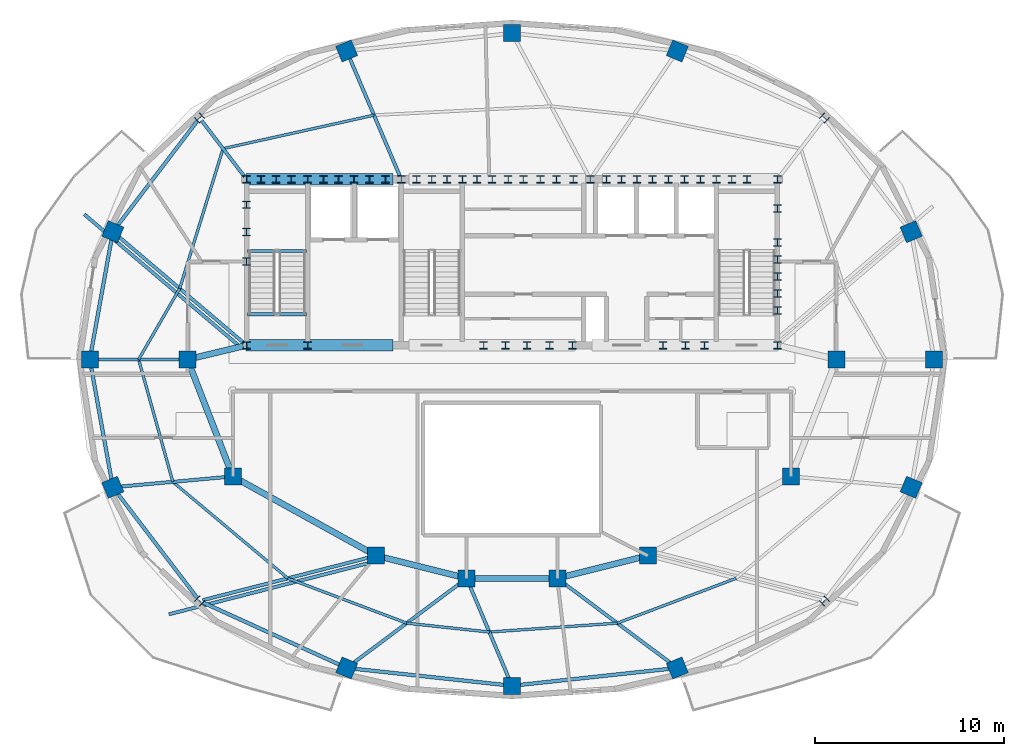
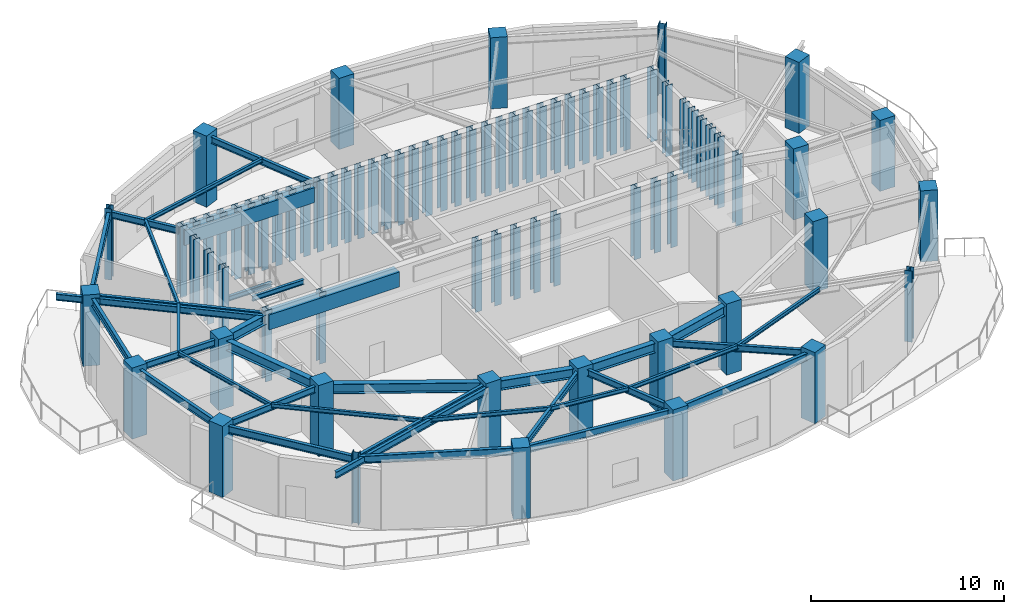
# One storey, part 1 of 9: 78 columns, 37 beams.
"""IFC4 building model written with IfcOpenShell, lengths in metres."""

from ifc_helpers import new_model, si_unit, direction, frame, origin, origin_2d, place, context, subcontext, project, spatial, rectangle, i_section, extrude, material, material_profile, profile_set, type_object, element, save


model = new_model("IFC4")

# Units and contexts
model_context = context("Model", 3, precision=1e-05, world=origin(), true_north=direction((0.0, 1.0)))
body_context = subcontext(model_context, "Body", "Model", "MODEL_VIEW")
ifc_project = project(units=[si_unit("LENGTHUNIT", "METRE"), si_unit("AREAUNIT", "SQUARE_METRE"), si_unit("VOLUMEUNIT", "CUBIC_METRE"), si_unit("PLANEANGLEUNIT", "RADIAN"), si_unit("MASSUNIT", "GRAM", prefix="KILO")], contexts=[model_context])

# Site, building, storey
site_placement = place(None, origin())
site = spatial("IfcSite", under=ifc_project, at=site_placement, CompositionType="ELEMENT")
building_placement = place(site_placement, origin())
building = spatial("IfcBuilding", under=site, at=building_placement, Name="Haldorwick Loom Tower", CompositionType="ELEMENT")
storey_placement = place(building_placement, frame((0.0, 0.0, 277.5)))
storey = spatial("IfcBuildingStorey", under=building, at=storey_placement, Name="L75", CompositionType="ELEMENT", Elevation=277.5)

# Columns
ifc_material_1 = material(Name="Concrete C50 (50 MPa)", Category="concrete")
ifc_material_profile_1 = material_profile(ifc_material_1, rectangle(XDim=0.89990234375, YDim=0.89990234375, at=origin_2d()), Name="RC900X900", Category="concrete")
ifc_profile_set_1 = profile_set([ifc_material_profile_1], Name="Concrete C50 (50 MPa)")
column_type_1 = type_object("IfcColumnType", Name="STR-COL-RC900", PredefinedType="COLUMN", material=ifc_profile_set_1)
for number, where, z_axis, x_axis, name in (
    (1, (53.199951171875, 26.0, 0.0), (0.0, 0.0, 1.0), (1.0, 0.0, 0.0), "L75 Inner Column IC-01"),
    (2, (50.800048828125, 19.800048828125, 0.0), (0.0, 0.0, 1.0), (1.0, 0.0, 0.0), "L75 Inner Column IC-02"),
    (3, (43.199951171875, 15.60009765625, 0.0), (0.0, 0.0, 1.0), (1.0, 0.0, 0.0), "L75 Inner Column IC-03"),
    (4, (38.39990234375, 14.39990234375, 0.0), (0.0, 0.0, 1.0), (1.0, 0.0, 0.0), "L75 Inner Column IC-04"),
    (5, (33.60009765625, 14.39990234375, 0.0), (0.0, 0.0, 1.0), (1.0, 0.0, 0.0), "L75 Inner Column IC-05"),
    (6, (28.800048828125, 15.60009765625, 0.0), (0.0, 0.0, 1.0), (1.0, 0.0, 0.0), "L75 Inner Column IC-06"),
    (7, (21.199951171875, 19.800048828125, 0.0), (0.0, 0.0, 1.0), (1.0, 0.0, 0.0), "L75 Inner Column IC-07"),
    (8, (18.800048828125, 26.0, 0.0), (0.0, 0.0, 1.0), (1.0, 0.0, 0.0), "L75 Inner Column IC-08"),
    (9, (58.380859375, 26.0, 0.0), (0.0, 0.0, 1.0), (1.0, 0.0, 0.0), "L75 Perimeter Pier Column P01"),
    (10, (57.15673828125, 32.7734375, 0.0), (0.0, 0.0, 1.0), (0.923879532511, 0.382683432365, 0.0), "L75 Perimeter Pier Column P02"),
    (11, (44.763427734375, 42.352783203125, 0.0), (0.0, 0.0, 1.0), (0.382683432365, 0.923879532511, 0.0), "L75 Perimeter Pier Column P04"),
    (12, (36.0, 43.295166015625, 0.0), (0.0, 0.0, 1.0), (0.0, 1.0, 0.0), "L75 Perimeter Pier Column P05"),
    (13, (27.236572265625, 42.352783203125, 0.0), (0.0, 0.0, 1.0), (-0.382683432365, 0.923879532511, 0.0), "L75 Perimeter Pier Column P06"),
    (14, (14.84326171875, 32.7734375, 0.0), (0.0, 0.0, 1.0), (-0.923879532511, 0.382683432365, 0.0), "L75 Perimeter Pier Column P08"),
    (15, (13.619140625, 26.0, 0.0), (0.0, 0.0, 1.0), (-1.0, 0.0, 0.0), "L75 Perimeter Pier Column P09"),
    (16, (14.84326171875, 19.2265625, 0.0), (0.0, 0.0, 1.0), (-0.923879532511, -0.382683432365, 0.0), "L75 Perimeter Pier Column P10"),
    (17, (27.236572265625, 9.647216796875, 0.0), (0.0, 0.0, 1.0), (-0.382683432365, -0.923879532511, 0.0), "L75 Perimeter Pier Column P12"),
    (18, (36.0, 8.704833984375, 0.0), (0.0, 0.0, 1.0), (0.0, -1.0, 0.0), "L75 Perimeter Pier Column P13"),
    (19, (44.763427734375, 9.647216796875, 0.0), (0.0, 0.0, 1.0), (0.382683432365, -0.923879532511, 0.0), "L75 Perimeter Pier Column P14"),
    (20, (57.15673828125, 19.2265625, 0.0), (0.0, 0.0, 1.0), (0.923879532511, -0.382683432365, 0.0), "L75 Perimeter Pier Column P16"),
):
    element("IfcColumn", number, at=place(storey_placement, frame(where, z_axis=z_axis, x_axis=x_axis)), inside=storey, type_object=column_type_1, Name=name, PredefinedType="COLUMN", context=body_context, shape_type="SweptSolid", body=[
        extrude(rectangle(XDim=0.89990234375, YDim=0.89990234375, at=origin_2d()), origin(), (0.0, 0.0, 1.0), 4.5),
    ])
ifc_material_2 = material(Name="Steel CSA G40.21 350W", Category="steel")
ifc_material_profile_2 = material_profile(ifc_material_2, i_section(OverallWidth=0.39892578125, OverallDepth=0.39306640625, WebThickness=0.0185546875, FlangeThickness=0.029541015625, at=origin_2d()), Name="W360X287", Category="steel")
ifc_profile_set_2 = profile_set([ifc_material_profile_2], Name="Steel CSA G40.21 350W")
column_type_2 = type_object("IfcColumnType", Name="STR-COL-W360X287", PredefinedType="COLUMN", material=ifc_profile_set_2)
for number, where, z_axis, x_axis, name in (
    (21, (21.929931640625, 35.550048828125, 0.0), (0.0, 0.0, 1.0), (1.0, 0.0, 0.0), "L75 Core Pilaster CB-01"),
    (22, (23.5, 35.550048828125, 0.0), (0.0, 0.0, 1.0), (1.0, 0.0, 0.0), "L75 Core Pilaster CB-02"),
    (23, (25.169921875, 35.550048828125, 0.0), (0.0, 0.0, 1.0), (1.0, 0.0, 0.0), "L75 Core Pilaster CB-03"),
    (24, (26.800048828125, 35.550048828125, 0.0), (0.0, 0.0, 1.0), (1.0, 0.0, 0.0), "L75 Core Pilaster CB-04"),
    (25, (28.449951171875, 35.550048828125, 0.0), (0.0, 0.0, 1.0), (1.0, 0.0, 0.0), "L75 Core Pilaster CB-05"),
    (26, (30.1298828125, 35.550048828125, 0.0), (0.0, 0.0, 1.0), (1.0, 0.0, 0.0), "L75 Core Pilaster CB-06"),
    (27, (31.75, 35.550048828125, 0.0), (0.0, 0.0, 1.0), (1.0, 0.0, 0.0), "L75 Core Pilaster CB-07"),
    (28, (33.3701171875, 35.550048828125, 0.0), (0.0, 0.0, 1.0), (1.0, 0.0, 0.0), "L75 Core Pilaster CB-08"),
    (29, (34.949951171875, 35.550048828125, 0.0), (0.0, 0.0, 1.0), (1.0, 0.0, 0.0), "L75 Core Pilaster CB-09"),
    (30, (36.60009765625, 35.550048828125, 0.0), (0.0, 0.0, 1.0), (1.0, 0.0, 0.0), "L75 Core Pilaster CB-10"),
    (31, (38.35009765625, 35.550048828125, 0.0), (0.0, 0.0, 1.0), (1.0, 0.0, 0.0), "L75 Core Pilaster CB-11"),
    (32, (40.14990234375, 35.550048828125, 0.0), (0.0, 0.0, 1.0), (1.0, 0.0, 0.0), "L75 Core Pilaster CB-12"),
    (33, (41.800048828125, 35.550048828125, 0.0), (0.0, 0.0, 1.0), (1.0, 0.0, 0.0), "L75 Core Pilaster CB-13"),
    (34, (43.449951171875, 35.550048828125, 0.0), (0.0, 0.0, 1.0), (1.0, 0.0, 0.0), "L75 Core Pilaster CB-14"),
    (35, (45.14990234375, 35.550048828125, 0.0), (0.0, 0.0, 1.0), (1.0, 0.0, 0.0), "L75 Core Pilaster CB-15"),
    (36, (46.830078125, 35.550048828125, 0.0), (0.0, 0.0, 1.0), (1.0, 0.0, 0.0), "L75 Core Pilaster CB-16"),
    (37, (48.449951171875, 35.550048828125, 0.0), (0.0, 0.0, 1.0), (1.0, 0.0, 0.0), "L75 Core Pilaster CB-17"),
    (38, (50.070068359375, 35.550048828125, 0.0), (0.0, 0.0, 1.0), (1.0, 0.0, 0.0), "L75 Core Pilaster CB-18"),
    (39, (21.929931640625, 26.75, 0.0), (0.0, 0.0, 1.0), (1.0, 0.0, 0.0), "L75 Core Pilaster CB-19"),
    (40, (25.169921875, 26.75, 0.0), (0.0, 0.0, 1.0), (1.0, 0.0, 0.0), "L75 Core Pilaster CB-20"),
    (41, (34.5, 26.75, 0.0), (0.0, 0.0, 1.0), (1.0, 0.0, 0.0), "L75 Core Pilaster CB-21"),
    (42, (36.800048828125, 26.75, 0.0), (0.0, 0.0, 1.0), (1.0, 0.0, 0.0), "L75 Core Pilaster CB-22"),
    (43, (39.199951171875, 26.75, 0.0), (0.0, 0.0, 1.0), (1.0, 0.0, 0.0), "L75 Core Pilaster CB-23"),
    (44, (45.199951171875, 26.75, 0.0), (0.0, 0.0, 1.0), (1.0, 0.0, 0.0), "L75 Core Pilaster CB-24"),
    (45, (50.070068359375, 26.75, 0.0), (0.0, 0.0, 1.0), (1.0, 0.0, 0.0), "L75 Core Pilaster CB-25"),
    (46, (21.929931640625, 31.199951171875, 0.0), (0.0, 0.0, 1.0), (1.0, 0.0, 0.0), "L75 Core Pilaster CB-26"),
    (47, (21.929931640625, 32.75, 0.0), (0.0, 0.0, 1.0), (1.0, 0.0, 0.0), "L75 Core Pilaster CB-27"),
    (48, (21.929931640625, 34.199951171875, 0.0), (0.0, 0.0, 1.0), (1.0, 0.0, 0.0), "L75 Core Pilaster CB-28"),
    (49, (50.070068359375, 28.60009765625, 0.0), (0.0, 0.0, 1.0), (1.0, 0.0, 0.0), "L75 Core Pilaster CB-29"),
    (50, (50.070068359375, 30.39990234375, 0.0), (0.0, 0.0, 1.0), (1.0, 0.0, 0.0), "L75 Core Pilaster CB-30"),
    (51, (50.070068359375, 32.199951171875, 0.0), (0.0, 0.0, 1.0), (1.0, 0.0, 0.0), "L75 Core Pilaster CB-31"),
    (52, (50.070068359375, 34.0, 0.0), (0.0, 0.0, 1.0), (1.0, 0.0, 0.0), "L75 Core Pilaster CB-32"),
    (53, (22.699951171875, 35.550048828125, 0.0), (0.0, 0.0, 1.0), (1.0, 0.0, 0.0), "L75 Core Pilaster CB-33"),
    (54, (27.6201171875, 35.550048828125, 0.0), (0.0, 0.0, 1.0), (1.0, 0.0, 0.0), "L75 Core Pilaster CB-34"),
    (55, (32.550048828125, 35.550048828125, 0.0), (0.0, 0.0, 1.0), (1.0, 0.0, 0.0), "L75 Core Pilaster CB-35"),
    (56, (37.5, 35.550048828125, 0.0), (0.0, 0.0, 1.0), (1.0, 0.0, 0.0), "L75 Core Pilaster CB-36"),
    (57, (42.6201171875, 35.550048828125, 0.0), (0.0, 0.0, 1.0), (1.0, 0.0, 0.0), "L75 Core Pilaster CB-37"),
    (58, (47.64990234375, 35.550048828125, 0.0), (0.0, 0.0, 1.0), (1.0, 0.0, 0.0), "L75 Core Pilaster CB-38"),
    (59, (24.300048828125, 35.550048828125, 0.0), (0.0, 0.0, 1.0), (1.0, 0.0, 0.0), "L75 Core Pilaster CB-39"),
    (60, (26.0, 35.550048828125, 0.0), (0.0, 0.0, 1.0), (1.0, 0.0, 0.0), "L75 Core Pilaster CB-40"),
    (61, (29.300048828125, 35.550048828125, 0.0), (0.0, 0.0, 1.0), (1.0, 0.0, 0.0), "L75 Core Pilaster CB-41"),
    (62, (30.949951171875, 35.550048828125, 0.0), (0.0, 0.0, 1.0), (1.0, 0.0, 0.0), "L75 Core Pilaster CB-42"),
    (63, (34.14990234375, 35.550048828125, 0.0), (0.0, 0.0, 1.0), (1.0, 0.0, 0.0), "L75 Core Pilaster CB-43"),
    (64, (35.800048828125, 35.550048828125, 0.0), (0.0, 0.0, 1.0), (1.0, 0.0, 0.0), "L75 Core Pilaster CB-44"),
    (65, (39.25, 35.550048828125, 0.0), (0.0, 0.0, 1.0), (1.0, 0.0, 0.0), "L75 Core Pilaster CB-45"),
    (66, (41.0, 35.550048828125, 0.0), (0.0, 0.0, 1.0), (1.0, 0.0, 0.0), "L75 Core Pilaster CB-46"),
    (67, (44.300048828125, 35.550048828125, 0.0), (0.0, 0.0, 1.0), (1.0, 0.0, 0.0), "L75 Core Pilaster CB-47"),
    (68, (46.0, 35.550048828125, 0.0), (0.0, 0.0, 1.0), (1.0, 0.0, 0.0), "L75 Core Pilaster CB-48"),
    (69, (50.070068359375, 29.5, 0.0), (0.0, 0.0, 1.0), (1.0, 0.0, 0.0), "L75 Core Pilaster CB-49"),
    (70, (50.070068359375, 31.300048828125, 0.0), (0.0, 0.0, 1.0), (1.0, 0.0, 0.0), "L75 Core Pilaster CB-50"),
    (71, (35.64990234375, 26.75, 0.0), (0.0, 0.0, 1.0), (1.0, 0.0, 0.0), "L75 Core Pilaster CB-51"),
    (72, (38.0, 26.75, 0.0), (0.0, 0.0, 1.0), (1.0, 0.0, 0.0), "L75 Core Pilaster CB-52"),
    (73, (44.0, 26.75, 0.0), (0.0, 0.0, 1.0), (1.0, 0.0, 0.0), "L75 Core Pilaster CB-53"),
    (74, (46.199951171875, 26.75, 0.0), (0.0, 0.0, 1.0), (1.0, 0.0, 0.0), "L75 Core Pilaster CB-54"),
    (75, (52.559814453125, 38.802001953125, 0.0), (0.0, 0.0, 1.0), (0.707106781187, 0.707106781187, 0.0), "L75 Perimeter Pier Column P03"),
    (76, (19.440185546875, 38.802001953125, 0.0), (0.0, 0.0, 1.0), (-0.707106781187, 0.707106781187, 0.0), "L75 Perimeter Pier Column P07"),
    (77, (19.440185546875, 13.197998046875, 0.0), (0.0, 0.0, 1.0), (-0.707106781187, -0.707106781187, 0.0), "L75 Perimeter Pier Column P11"),
    (78, (52.559814453125, 13.197998046875, 0.0), (0.0, 0.0, 1.0), (0.707106781187, -0.707106781187, 0.0), "L75 Perimeter Pier Column P15"),
):
    element("IfcColumn", number, at=place(storey_placement, frame(where, z_axis=z_axis, x_axis=x_axis)), inside=storey, type_object=column_type_2, Name=name, PredefinedType="COLUMN", context=body_context, shape_type="SweptSolid", body=[
        extrude(i_section(OverallWidth=0.39892578125, OverallDepth=0.39306640625, WebThickness=0.0185546875, FlangeThickness=0.029541015625, at=origin_2d()), origin(), (0.0, 0.0, 1.0), 4.5),
    ])

# Beams
ifc_material_profile_3 = material_profile(ifc_material_2, i_section(OverallWidth=0.179931640625, OverallDepth=0.4130859375, WebThickness=0.009765625, FlangeThickness=0.01611328125, at=origin_2d()), Name="W410X74", Category="steel")
ifc_profile_set_3 = profile_set([ifc_material_profile_3], Name="Steel CSA G40.21 350W")
beam_type_1 = type_object("IfcBeamType", Name="STR-BM-BAL410", PredefinedType="BEAM", material=ifc_profile_set_3)
beam_1_placement = place(storey_placement, frame((28.4580078125, 15.22314453125, 4.053466796875), z_axis=(-0.968611485287, -0.24857954576, 0.0), x_axis=(0.24857954576, -0.968611485287, 0.0)))
element("IfcBeam", 79, at=beam_1_placement, inside=storey, type_object=beam_type_1, Name="L75 Continuous Back-Spanned Balcony Beam 2", PredefinedType="BEAM", context=body_context, shape_type="SweptSolid", body=[
    extrude(i_section(OverallWidth=0.179931640625, OverallDepth=0.4130859375, WebThickness=0.009765625, FlangeThickness=0.01611328125, at=origin_2d()), origin(), (0.0, 0.0, 1.0), 10.98828125),
])
beam_2_placement = place(storey_placement, frame((21.617919921875, 26.647705078125, 4.053466796875), z_axis=(-0.761939871456, 0.647647768687, 0.0), x_axis=(-0.647647768687, -0.761939871456, 0.0)))
element("IfcBeam", 80, at=beam_2_placement, inside=storey, type_object=beam_type_1, Name="L75 Continuous Back-Spanned Balcony Beam 3", PredefinedType="BEAM", context=body_context, shape_type="SweptSolid", body=[
    extrude(i_section(OverallWidth=0.179931640625, OverallDepth=0.4130859375, WebThickness=0.009765625, FlangeThickness=0.01611328125, at=origin_2d()), origin(), (0.0, 0.0, 1.0), 10.879150390625),
])
ifc_material_profile_4 = material_profile(ifc_material_1, rectangle(XDim=0.60009765625, YDim=0.949951171875, at=origin_2d()), Name="RC600X950", Category="concrete")
ifc_profile_set_4 = profile_set([ifc_material_profile_4], Name="Concrete C50 (50 MPa)")
beam_type_2 = type_object("IfcBeamType", Name="STR-BM-CB950", PredefinedType="LINTEL", material=ifc_profile_set_4)
for number, where, z_axis, x_axis, name in (
    (81, (21.89990234375, 35.550048828125, 3.784912109375), (1.0, 0.0, 0.0), (0.0, 1.0, 0.0), "L75 Core Coupling Beam CB-N1"),
    (82, (21.89990234375, 26.75, 3.784912109375), (1.0, 0.0, 0.0), (0.0, 1.0, 0.0), "L75 Core Coupling Beam CB-S1"),
):
    element("IfcBeam", number, at=place(storey_placement, frame(where, z_axis=z_axis, x_axis=x_axis)), inside=storey, type_object=beam_type_2, Name=name, PredefinedType="LINTEL", context=body_context, shape_type="SweptSolid", body=[
        extrude(rectangle(XDim=0.60009765625, YDim=0.949951171875, at=origin_2d()), origin(), (0.0, 0.0, 1.0), 7.800048828125),
    ])
ifc_material_profile_5 = material_profile(ifc_material_2, i_section(OverallWidth=0.14599609375, OverallDepth=0.258056640625, WebThickness=0.006103515625, FlangeThickness=0.009033203125, at=origin_2d()), Name="W250X33", Category="steel")
ifc_profile_set_5 = profile_set([ifc_material_profile_5], Name="Steel CSA G40.21 350W")
beam_type_3 = type_object("IfcBeamType", Name="STR-BM-J250", PredefinedType="JOIST", material=ifc_profile_set_5)
beam_3_placement = place(storey_placement, frame((28.683349609375, 38.951416015625, 4.131103515625), z_axis=(-0.976238917254, -0.216696969148, 0.0), x_axis=(0.216696969148, -0.976238917254, 0.0)))
element("IfcBeam", 83, at=beam_3_placement, inside=storey, type_object=beam_type_3, Name="L75 Mid-Bay Secondary Joist 6", PredefinedType="JOIST", context=body_context, shape_type="SweptSolid", body=[
    extrude(i_section(OverallWidth=0.14599609375, OverallDepth=0.258056640625, WebThickness=0.006103515625, FlangeThickness=0.009033203125, at=origin_2d()), origin(), (0.0, 0.0, 1.0), 8.19287109375),
])
beam_4_placement = place(storey_placement, frame((20.68505859375, 37.176025390625, 4.131103515625), z_axis=(-0.296087580312, -0.955160795251, 0.0), x_axis=(0.955160795251, -0.296087580312, 0.0)))
element("IfcBeam", 84, at=beam_4_placement, inside=storey, type_object=beam_type_3, Name="L75 Mid-Bay Secondary Joist 7", PredefinedType="JOIST", context=body_context, shape_type="SweptSolid", body=[
    extrude(i_section(OverallWidth=0.14599609375, OverallDepth=0.258056640625, WebThickness=0.006103515625, FlangeThickness=0.009033203125, at=origin_2d()), origin(), (0.0, 0.0, 1.0), 7.762451171875),
])
beam_5_placement = place(storey_placement, frame((18.38671875, 29.76171875, 4.131103515625), z_axis=(-0.50089233553, -0.865509600297, 0.0), x_axis=(0.865509600297, -0.50089233553, 0.0)))
element("IfcBeam", 85, at=beam_5_placement, inside=storey, type_object=beam_type_3, Name="L75 Mid-Bay Secondary Joist 8", PredefinedType="JOIST", context=body_context, shape_type="SweptSolid", body=[
    extrude(i_section(OverallWidth=0.14599609375, OverallDepth=0.258056640625, WebThickness=0.006103515625, FlangeThickness=0.009033203125, at=origin_2d()), origin(), (0.0, 0.0, 1.0), 4.34619140625),
])
beam_6_placement = place(storey_placement, frame((16.209716796875, 26.0, 4.131103515625), z_axis=(0.269004652199, -0.963138877367, 0.0), x_axis=(0.963138877367, 0.269004652199, 0.0)))
element("IfcBeam", 86, at=beam_6_placement, inside=storey, type_object=beam_type_3, Name="L75 Mid-Bay Secondary Joist 9", PredefinedType="JOIST", context=body_context, shape_type="SweptSolid", body=[
    extrude(i_section(OverallWidth=0.14599609375, OverallDepth=0.258056640625, WebThickness=0.006103515625, FlangeThickness=0.009033203125, at=origin_2d()), origin(), (0.0, 0.0, 1.0), 6.735107421875),
])
beam_7_placement = place(storey_placement, frame((18.021484375, 19.51318359375, 4.131103515625), z_axis=(0.766236362394, -0.642558819833, 0.0), x_axis=(0.642558819833, 0.766236362394, 0.0)))
element("IfcBeam", 87, at=beam_7_placement, inside=storey, type_object=beam_type_3, Name="L75 Mid-Bay Secondary Joist 10", PredefinedType="JOIST", context=body_context, shape_type="SweptSolid", body=[
    extrude(i_section(OverallWidth=0.14599609375, OverallDepth=0.258056640625, WebThickness=0.006103515625, FlangeThickness=0.009033203125, at=origin_2d()), origin(), (0.0, 0.0, 1.0), 7.959228515625),
])
beam_8_placement = place(storey_placement, frame((24.1201171875, 14.39892578125, 4.131103515625), z_axis=(0.93567019597, -0.352875735031, 0.0), x_axis=(0.352875735031, 0.93567019597, 0.0)))
element("IfcBeam", 88, at=beam_8_placement, inside=storey, type_object=beam_type_3, Name="L75 Mid-Bay Secondary Joist 11", PredefinedType="JOIST", context=body_context, shape_type="SweptSolid", body=[
    extrude(i_section(OverallWidth=0.14599609375, OverallDepth=0.258056640625, WebThickness=0.006103515625, FlangeThickness=0.009033203125, at=origin_2d()), origin(), (0.0, 0.0, 1.0), 6.731201171875),
])
beam_9_placement = place(storey_placement, frame((30.418212890625, 12.023681640625, 4.131103515625), z_axis=(0.994268003688, -0.106916494714, 0.0), x_axis=(0.106916494714, 0.994268003688, 0.0)))
element("IfcBeam", 89, at=beam_9_placement, inside=storey, type_object=beam_type_3, Name="L75 Mid-Bay Secondary Joist 12", PredefinedType="JOIST", context=body_context, shape_type="SweptSolid", body=[
    extrude(i_section(OverallWidth=0.14599609375, OverallDepth=0.258056640625, WebThickness=0.006103515625, FlangeThickness=0.009033203125, at=origin_2d()), origin(), (0.0, 0.0, 1.0), 4.406982421875),
])
beam_10_placement = place(storey_placement, frame((34.800048828125, 11.552490234375, 4.131103515625), z_axis=(0.997595007309, 0.069312346609, 0.0), x_axis=(-0.069312346609, 0.997595007309, 0.0)))
element("IfcBeam", 90, at=beam_10_placement, inside=storey, type_object=beam_type_3, Name="L75 Mid-Bay Secondary Joist 13", PredefinedType="JOIST", context=body_context, shape_type="SweptSolid", body=[
    extrude(i_section(OverallWidth=0.14599609375, OverallDepth=0.258056640625, WebThickness=0.006103515625, FlangeThickness=0.009033203125, at=origin_2d()), origin(), (0.0, 0.0, 1.0), 6.798095703125),
])
beam_11_placement = place(storey_placement, frame((41.581787109375, 12.023681640625, 4.131103515625), z_axis=(0.93567019597, 0.352875735031, 0.0), x_axis=(-0.352875735031, 0.93567019597, 0.0)))
element("IfcBeam", 91, at=beam_11_placement, inside=storey, type_object=beam_type_3, Name="L75 Mid-Bay Secondary Joist 14", PredefinedType="JOIST", context=body_context, shape_type="SweptSolid", body=[
    extrude(i_section(OverallWidth=0.14599609375, OverallDepth=0.258056640625, WebThickness=0.006103515625, FlangeThickness=0.009033203125, at=origin_2d()), origin(), (0.0, 0.0, 1.0), 6.731201171875),
])
ifc_material_profile_6 = material_profile(ifc_material_2, i_section(OverallWidth=0.179931640625, OverallDepth=0.4130859375, WebThickness=0.009765625, FlangeThickness=0.01611328125, at=origin_2d()), Name="W410X74", Category="steel")
ifc_profile_set_6 = profile_set([ifc_material_profile_6], Name="Steel CSA G40.21 350W")
beam_type_4 = type_object("IfcBeamType", Name="STR-BM-J410", PredefinedType="JOIST", material=ifc_profile_set_6)
beam_12_placement = place(storey_placement, frame((30.06298828125, 35.707763671875, 4.053466796875), z_axis=(-0.391420554147, 0.92021190483, 0.0), x_axis=(-0.92021190483, -0.391420554147, 0.0)))
element("IfcBeam", 92, at=beam_12_placement, inside=storey, type_object=beam_type_4, Name="L75 Radial Floor Girder 6", PredefinedType="JOIST", context=body_context, shape_type="SweptSolid", body=[
    extrude(i_section(OverallWidth=0.179931640625, OverallDepth=0.4130859375, WebThickness=0.009765625, FlangeThickness=0.01611328125, at=origin_2d()), origin(), (0.0, 0.0, 1.0), 6.796142578125),
])
beam_13_placement = place(storey_placement, frame((21.82568359375, 35.686279296875, 4.053466796875), z_axis=(-0.607923320425, 0.793995740847, 0.0), x_axis=(-0.793995740847, -0.607923320425, 0.0)))
element("IfcBeam", 93, at=beam_13_placement, inside=storey, type_object=beam_type_4, Name="L75 Radial Floor Girder 7", PredefinedType="JOIST", context=body_context, shape_type="SweptSolid", body=[
    extrude(i_section(OverallWidth=0.179931640625, OverallDepth=0.4130859375, WebThickness=0.009765625, FlangeThickness=0.01611328125, at=origin_2d()), origin(), (0.0, 0.0, 1.0), 3.75244140625),
])
beam_14_placement = place(storey_placement, frame((21.79931640625, 26.861083984375, 4.053466796875), z_axis=(-0.761954542494, 0.647630508216, 0.0), x_axis=(-0.647630508216, -0.761954542494, 0.0)))
element("IfcBeam", 94, at=beam_14_placement, inside=storey, type_object=beam_type_4, Name="L75 Radial Floor Girder 8", PredefinedType="JOIST", context=body_context, shape_type="SweptSolid", body=[
    extrude(i_section(OverallWidth=0.179931640625, OverallDepth=0.4130859375, WebThickness=0.009765625, FlangeThickness=0.01611328125, at=origin_2d()), origin(), (0.0, 0.0, 1.0), 8.704345703125),
])
beam_15_placement = place(storey_placement, frame((18.375, 26.0, 4.053466796875), z_axis=(-1.0, 0.0, 0.0), x_axis=(0.0, -1.0, 0.0)))
element("IfcBeam", 95, at=beam_15_placement, inside=storey, type_object=beam_type_4, Name="L75 Radial Floor Girder 9", PredefinedType="JOIST", context=body_context, shape_type="SweptSolid", body=[
    extrude(i_section(OverallWidth=0.179931640625, OverallDepth=0.4130859375, WebThickness=0.009765625, FlangeThickness=0.01611328125, at=origin_2d()), origin(), (0.0, 0.0, 1.0), 4.330810546875),
])
beam_16_placement = place(storey_placement, frame((20.776611328125, 19.76171875, 4.053466796875), z_axis=(-0.995955545461, -0.08984737873, 0.0), x_axis=(0.08984737873, -0.995955545461, 0.0)))
element("IfcBeam", 96, at=beam_16_placement, inside=storey, type_object=beam_type_4, Name="L75 Radial Floor Girder 10", PredefinedType="JOIST", context=body_context, shape_type="SweptSolid", body=[
    extrude(i_section(OverallWidth=0.179931640625, OverallDepth=0.4130859375, WebThickness=0.009765625, FlangeThickness=0.01611328125, at=origin_2d()), origin(), (0.0, 0.0, 1.0), 5.532470703125),
])
beam_17_placement = place(storey_placement, frame((28.38818359375, 15.494384765625, 4.053466796875), z_axis=(-0.968607693966, -0.248594318498, 0.0), x_axis=(0.248594318498, -0.968607693966, 0.0)))
element("IfcBeam", 97, at=beam_17_placement, inside=storey, type_object=beam_type_4, Name="L75 Radial Floor Girder 11", PredefinedType="JOIST", context=body_context, shape_type="SweptSolid", body=[
    extrude(i_section(OverallWidth=0.179931640625, OverallDepth=0.4130859375, WebThickness=0.009765625, FlangeThickness=0.01611328125, at=origin_2d()), origin(), (0.0, 0.0, 1.0), 9.066650390625),
])
beam_18_placement = place(storey_placement, frame((33.259521484375, 14.145751953125, 4.053466796875), z_axis=(-0.801204527525, -0.598390595742, 0.0), x_axis=(0.598390595742, -0.801204527525, 0.0)))
element("IfcBeam", 98, at=beam_18_placement, inside=storey, type_object=beam_type_4, Name="L75 Radial Floor Girder 12", PredefinedType="JOIST", context=body_context, shape_type="SweptSolid", body=[
    extrude(i_section(OverallWidth=0.179931640625, OverallDepth=0.4130859375, WebThickness=0.009765625, FlangeThickness=0.01611328125, at=origin_2d()), origin(), (0.0, 0.0, 1.0), 7.092529296875),
])
beam_19_placement = place(storey_placement, frame((33.764892578125, 14.00830078125, 4.053466796875), z_axis=(0.388362079437, -0.921506861209, 0.0), x_axis=(0.921506861209, 0.388362079437, 0.0)))
element("IfcBeam", 99, at=beam_19_placement, inside=storey, type_object=beam_type_4, Name="L75 Radial Floor Girder 13", PredefinedType="JOIST", context=body_context, shape_type="SweptSolid", body=[
    extrude(i_section(OverallWidth=0.179931640625, OverallDepth=0.4130859375, WebThickness=0.009765625, FlangeThickness=0.01611328125, at=origin_2d()), origin(), (0.0, 0.0, 1.0), 5.330322265625),
])
beam_20_placement = place(storey_placement, frame((38.740478515625, 14.145751953125, 4.053466796875), z_axis=(0.801204527525, -0.598390595742, 0.0), x_axis=(0.598390595742, 0.801204527525, 0.0)))
element("IfcBeam", 100, at=beam_20_placement, inside=storey, type_object=beam_type_4, Name="L75 Radial Floor Girder 14", PredefinedType="JOIST", context=body_context, shape_type="SweptSolid", body=[
    extrude(i_section(OverallWidth=0.179931640625, OverallDepth=0.4130859375, WebThickness=0.009765625, FlangeThickness=0.01611328125, at=origin_2d()), origin(), (0.0, 0.0, 1.0), 7.092529296875),
])
ifc_material_profile_7 = material_profile(ifc_material_2, i_section(OverallWidth=0.193115234375, OverallDepth=0.466064453125, WebThickness=0.011474609375, FlangeThickness=0.01904296875, at=origin_2d()), Name="W460X97", Category="steel")
ifc_profile_set_7 = profile_set([ifc_material_profile_7], Name="Steel CSA G40.21 350W")
beam_type_5 = type_object("IfcBeamType", Name="STR-BM-SP460", PredefinedType="SPANDREL", material=ifc_profile_set_7)
beam_21_placement = place(storey_placement, frame((19.336181640625, 38.66552734375, 4.027099609375), z_axis=(-0.606384376075, -0.795171672315, 0.0), x_axis=(0.795171672315, -0.606384376075, 0.0)))
element("IfcBeam", 101, at=beam_21_placement, inside=storey, type_object=beam_type_5, Name="L75 Perimeter Spandrel 7", PredefinedType="SPANDREL", context=body_context, shape_type="SweptSolid", body=[
    extrude(i_section(OverallWidth=0.193115234375, OverallDepth=0.466064453125, WebThickness=0.011474609375, FlangeThickness=0.01904296875, at=origin_2d()), origin(), (0.0, 0.0, 1.0), 6.984619140625),
])
for number, where, z_axis, x_axis, name in (
    (102, (14.767578125, 32.355224609375, 4.027099609375), (-0.177809893073, -0.984064856565, 0.0), (0.984064856565, -0.177809893073, 0.0), "L75 Perimeter Spandrel 8"),
    (103, (13.69482421875, 25.581787109375, 4.027099609375), (0.177809893073, -0.984064856565, 0.0), (0.984064856565, 0.177809893073, 0.0), "L75 Perimeter Spandrel 9"),
):
    element("IfcBeam", number, at=place(storey_placement, frame(where, z_axis=z_axis, x_axis=x_axis)), inside=storey, type_object=beam_type_5, Name=name, PredefinedType="SPANDREL", context=body_context, shape_type="SweptSolid", body=[
        extrude(i_section(OverallWidth=0.193115234375, OverallDepth=0.466064453125, WebThickness=0.011474609375, FlangeThickness=0.01904296875, at=origin_2d()), origin(), (0.0, 0.0, 1.0), 6.033203125),
    ])
beam_22_placement = place(storey_placement, frame((15.100830078125, 18.888427734375, 4.027099609375), z_axis=(0.606384376075, -0.795171672315, 0.0), x_axis=(0.795171672315, 0.606384376075, 0.0)))
element("IfcBeam", 104, at=beam_22_placement, inside=storey, type_object=beam_type_5, Name="L75 Perimeter Spandrel 10", PredefinedType="SPANDREL", context=body_context, shape_type="SweptSolid", body=[
    extrude(i_section(OverallWidth=0.193115234375, OverallDepth=0.466064453125, WebThickness=0.011474609375, FlangeThickness=0.01904296875, at=origin_2d()), origin(), (0.0, 0.0, 1.0), 6.984619140625),
])
beam_23_placement = place(storey_placement, frame((19.59619140625, 13.126953125, 4.027099609375), z_axis=(0.910060964072, -0.414474416185, 0.0), x_axis=(0.414474416185, 0.910060964072, 0.0)))
element("IfcBeam", 105, at=beam_23_placement, inside=storey, type_object=beam_type_5, Name="L75 Perimeter Spandrel 11", PredefinedType="SPANDREL", context=body_context, shape_type="SweptSolid", body=[
    extrude(i_section(OverallWidth=0.193115234375, OverallDepth=0.466064453125, WebThickness=0.011474609375, FlangeThickness=0.01904296875, at=origin_2d()), origin(), (0.0, 0.0, 1.0), 7.97021484375),
])
for number, where, z_axis, x_axis, name in (
    (106, (27.6591796875, 9.601806640625, 4.027099609375), (0.994266744602, -0.106928202916, 0.0), (0.106928202916, 0.994266744602, 0.0), "L75 Perimeter Spandrel 12"),
    (107, (36.422607421875, 8.750244140625, 4.027099609375), (0.994266744602, 0.106928202916, 0.0), (-0.106928202916, 0.994266744602, 0.0), "L75 Perimeter Spandrel 13"),
):
    element("IfcBeam", number, at=place(storey_placement, frame(where, z_axis=z_axis, x_axis=x_axis)), inside=storey, type_object=beam_type_5, Name=name, PredefinedType="SPANDREL", context=body_context, shape_type="SweptSolid", body=[
        extrude(i_section(OverallWidth=0.193115234375, OverallDepth=0.466064453125, WebThickness=0.011474609375, FlangeThickness=0.01904296875, at=origin_2d()), origin(), (0.0, 0.0, 1.0), 7.9638671875),
    ])
ifc_material_profile_8 = material_profile(ifc_material_2, i_section(OverallWidth=0.166015625, OverallDepth=0.31298828125, WebThickness=0.006591796875, FlangeThickness=0.01123046875, at=origin_2d()), Name="W310X45", Category="steel")
ifc_profile_set_8 = profile_set([ifc_material_profile_8], Name="Steel CSA G40.21 350W")
beam_type_6 = type_object("IfcBeamType", Name="STR-BM-STRM", PredefinedType="BEAM", material=ifc_profile_set_8)
for number, where, z_axis, x_axis, name in (
    (108, (21.989990234375, 28.39990234375, 4.103515625), (1.0, 0.0, 0.0), (0.0, 1.0, 0.0), "L75 Stair ST-01 Landing Edge Trimmer"),
    (109, (21.989990234375, 31.760009765625, 1.8935546875), (1.0, 0.0, 0.0), (0.0, 1.0, 0.0), "L75 Stair ST-01 Half-Landing Trimmer 1"),
):
    element("IfcBeam", number, at=place(storey_placement, frame(where, z_axis=z_axis, x_axis=x_axis)), inside=storey, type_object=beam_type_6, Name=name, PredefinedType="BEAM", context=body_context, shape_type="SweptSolid", body=[
        extrude(i_section(OverallWidth=0.166015625, OverallDepth=0.31298828125, WebThickness=0.006591796875, FlangeThickness=0.01123046875, at=origin_2d()), origin(), (0.0, 0.0, 1.0), 3.1201171875),
    ])
ifc_material_profile_9 = material_profile(ifc_material_2, i_section(OverallWidth=0.324951171875, OverallDepth=0.615966796875, WebThickness=0.013916015625, FlangeThickness=0.021484375, at=origin_2d()), Name="W610X174", Category="steel")
ifc_profile_set_9 = profile_set([ifc_material_profile_9], Name="Steel CSA G40.21 350W")
beam_type_7 = type_object("IfcBeamType", Name="STR-BM-W610A", PredefinedType="BEAM", material=ifc_profile_set_9)
beam_24_placement = place(storey_placement, frame((42.78759765625, 15.496826171875, 3.951904296875), z_axis=(-0.97015301348, -0.242493567823, 0.0), x_axis=(0.242493567823, -0.97015301348, 0.0)))
element("IfcBeam", 110, at=beam_24_placement, inside=storey, type_object=beam_type_7, Name="L75 Inner Ring Girder 4", PredefinedType="BEAM", context=body_context, shape_type="SweptSolid", body=[
    extrude(i_section(OverallWidth=0.324951171875, OverallDepth=0.615966796875, WebThickness=0.013916015625, FlangeThickness=0.021484375, at=origin_2d()), origin(), (0.0, 0.0, 1.0), 4.09765625),
])
beam_25_placement = place(storey_placement, frame((37.97509765625, 14.39990234375, 3.951904296875), z_axis=(-1.0, 0.0, 0.0), x_axis=(0.0, -1.0, 0.0)))
element("IfcBeam", 111, at=beam_25_placement, inside=storey, type_object=beam_type_7, Name="L75 Inner Ring Girder 5", PredefinedType="BEAM", context=body_context, shape_type="SweptSolid", body=[
    extrude(i_section(OverallWidth=0.324951171875, OverallDepth=0.615966796875, WebThickness=0.013916015625, FlangeThickness=0.021484375, at=origin_2d()), origin(), (0.0, 0.0, 1.0), 3.9501953125),
])
beam_26_placement = place(storey_placement, frame((33.187744140625, 14.503173828125, 3.951904296875), z_axis=(-0.97015301348, 0.242493567823, 0.0), x_axis=(-0.242493567823, -0.97015301348, 0.0)))
element("IfcBeam", 112, at=beam_26_placement, inside=storey, type_object=beam_type_7, Name="L75 Inner Ring Girder 6", PredefinedType="BEAM", context=body_context, shape_type="SweptSolid", body=[
    extrude(i_section(OverallWidth=0.324951171875, OverallDepth=0.615966796875, WebThickness=0.013916015625, FlangeThickness=0.021484375, at=origin_2d()), origin(), (0.0, 0.0, 1.0), 4.09765625),
])
beam_27_placement = place(storey_placement, frame((28.427978515625, 15.8056640625, 3.951904296875), z_axis=(-0.875241535439, 0.48368611169, 0.0), x_axis=(-0.48368611169, -0.875241535439, 0.0)))
element("IfcBeam", 113, at=beam_27_placement, inside=storey, type_object=beam_type_7, Name="L75 Inner Ring Girder 7", PredefinedType="BEAM", context=body_context, shape_type="SweptSolid", body=[
    extrude(i_section(OverallWidth=0.324951171875, OverallDepth=0.615966796875, WebThickness=0.013916015625, FlangeThickness=0.021484375, at=origin_2d()), origin(), (0.0, 0.0, 1.0), 7.833251953125),
])
beam_28_placement = place(storey_placement, frame((21.046630859375, 20.1962890625, 3.951904296875), z_axis=(-0.361001189766, 0.932565354808, 0.0), x_axis=(-0.932565354808, -0.361001189766, 0.0)))
element("IfcBeam", 114, at=beam_28_placement, inside=storey, type_object=beam_type_7, Name="L75 Inner Ring Girder 8", PredefinedType="BEAM", context=body_context, shape_type="SweptSolid", body=[
    extrude(i_section(OverallWidth=0.324951171875, OverallDepth=0.615966796875, WebThickness=0.013916015625, FlangeThickness=0.021484375, at=origin_2d()), origin(), (0.0, 0.0, 1.0), 5.798583984375),
])
beam_29_placement = place(storey_placement, frame((19.21337890625, 26.09912109375, 3.951904296875), z_axis=(0.972483573168, 0.232971457302, 0.0), x_axis=(-0.232971457302, 0.972483573168, 0.0)))
element("IfcBeam", 115, at=beam_29_placement, inside=storey, type_object=beam_type_7, Name="L75 Inner Ring Girder 9", PredefinedType="BEAM", context=body_context, shape_type="SweptSolid", body=[
    extrude(i_section(OverallWidth=0.324951171875, OverallDepth=0.615966796875, WebThickness=0.013916015625, FlangeThickness=0.021484375, at=origin_2d()), origin(), (0.0, 0.0, 1.0), 2.6220703125),
])

save(model, "model.ifc")
